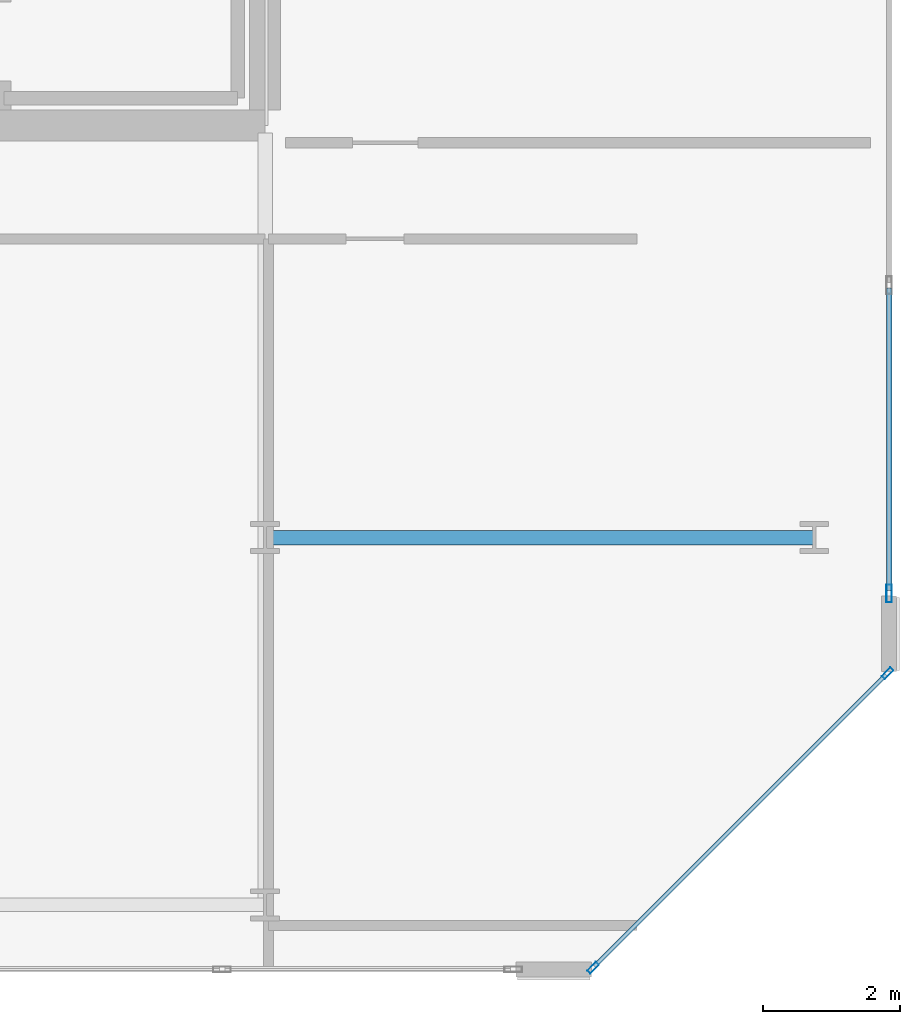
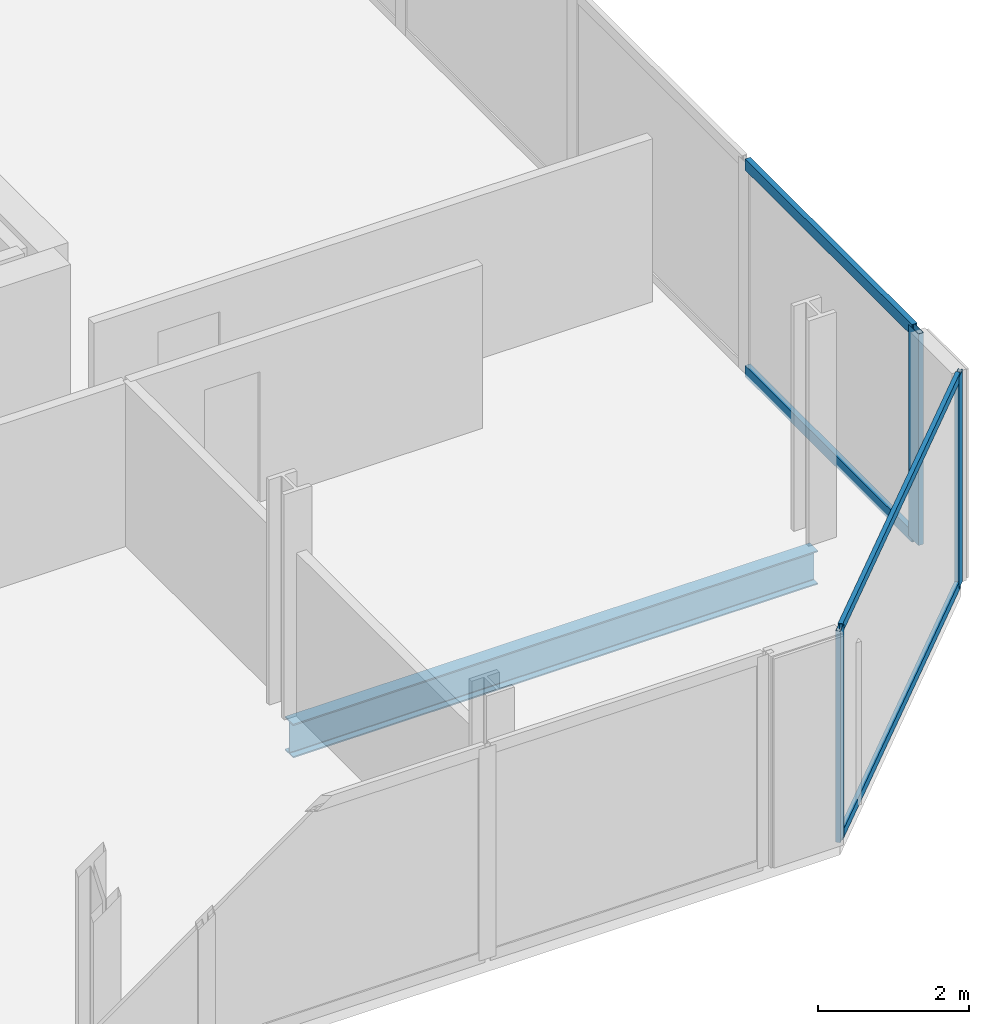
# One storey, part 7 of 17: 7 members, 1 beam, 2 elements without a shape of their own.
"""IFC4 building model written with IfcOpenShell, lengths in metres."""

from ifc_helpers import new_model, si_unit, direction, frame, origin, origin_2d, place, context, subcontext, project, spatial, hollow_rectangle, i_section, extrude, material, layer, layer_set, material_profile, profile_set, type_object, element, aggregate, save


model = new_model("IFC4")

# Units and contexts
model_context = context("Model", 3, precision=1e-05, world=origin(), true_north=direction((0.0, 1.0)))
body_context = subcontext(model_context, "Body", "Model", "MODEL_VIEW")
ifc_project = project(units=[si_unit("LENGTHUNIT", "METRE"), si_unit("AREAUNIT", "SQUARE_METRE"), si_unit("VOLUMEUNIT", "CUBIC_METRE"), si_unit("PLANEANGLEUNIT", "RADIAN"), si_unit("MASSUNIT", "GRAM", prefix="KILO")], contexts=[model_context])

# Site, building, storey
site_placement = place(None, origin())
site = spatial("IfcSite", under=ifc_project, at=site_placement, CompositionType="ELEMENT")
building_placement = place(site_placement, origin())
building = spatial("IfcBuilding", under=site, at=building_placement, Name="Tanjung Sevakor Pilgrim Tower", CompositionType="ELEMENT")
storey_placement = place(building_placement, frame((0.0, 0.0, 264.330078125)))
storey = spatial("IfcBuildingStorey", under=building, at=storey_placement, Name="L74", CompositionType="ELEMENT", Elevation=264.330078125)

# Beam
ifc_material_1 = material(Name="Steel S355J2", Category="steel")
ifc_material_profile_1 = material_profile(ifc_material_1, i_section(OverallWidth=0.2119140625, OverallDepth=0.54443359375, WebThickness=0.0126953125, FlangeThickness=0.021240234375, FilletRadius=0.0126953125, at=origin_2d()))
ifc_profile_set_1 = profile_set([ifc_material_profile_1], Name="Steel S355J2")
beam_type = type_object("IfcBeamType", Name="BM-B-G5-UB_533x210x122", PredefinedType="BEAM", material=ifc_profile_set_1)
beam_placement = place(storey_placement, frame((90.0, 18.60009765625, -0.4921875), z_axis=(1.0, 0.0, 0.0), x_axis=(0.0, 1.0, 0.0)))
element("IfcBeam", 1, at=beam_placement, inside=storey, type_object=beam_type, Name="L74 East Peak Wing Girder Y18.6", PredefinedType="BEAM", context=body_context, shape_type="SweptSolid", body=[
    extrude(i_section(OverallWidth=0.2119140625, OverallDepth=0.54443359375, WebThickness=0.0126953125, FlangeThickness=0.021240234375, FilletRadius=0.0126953125, at=origin_2d()), origin(), (0.0, 0.0, 1.0), 8.0),
])

# Curtain wall, members
ifc_material_2 = material(Name="Aluminium 6063-T6 and Low-E Glass", Category="aluminium")
ifc_layer_1 = layer(ifc_material_2, 0.179931640625)
ifc_layer_set_1 = layer_set([ifc_layer_1], Name="CW-SYS-CHAM")
curtain_wall_type_1 = type_object("IfcCurtainWallType", Name="CW-SYS-CHAM", PredefinedType="NOTDEFINED", material=ifc_layer_set_1)
curtain_wall_1_placement = place(storey_placement, origin())
curtain_wall_1 = element("IfcCurtainWall", 2, at=curtain_wall_1_placement, inside=storey, type_object=curtain_wall_type_1, Name="L74 Curtain Wall CW-CHM-L74-EAST-1", PredefinedType="NOTDEFINED")
ifc_material_3 = material(Name="Aluminium 6063-T6", Category="aluminium")
ifc_material_profile_2 = material_profile(ifc_material_3, hollow_rectangle(XDim=0.06494140625, YDim=0.179931640625, WallThickness=0.00390625, at=origin_2d()))
ifc_profile_set_2 = profile_set([ifc_material_profile_2], Name="Aluminium 6063-T6")
member_type_1 = type_object("IfcMemberType", Name="TYPE-CWM-1", PredefinedType="MULLION", material=ifc_profile_set_2)
member_1_placement = place(storey_placement, frame((94.77734375, 12.3330078125, 0.0), z_axis=(0.0, 0.0, 1.0), x_axis=(-0.707106781187, 0.707106781187, 0.0)))
member_1 = element("IfcMember", 3, at=member_1_placement, type_object=member_type_1, Name="CW-CHM mullion 1", PredefinedType="MULLION", context=body_context, shape_type="SweptSolid", body=[
    extrude(hollow_rectangle(XDim=0.06494140625, YDim=0.179931640625, WallThickness=0.00390625, at=origin_2d()), origin(), (0.0, 0.0, 1.0), 3.409912109375),
])
member_2_placement = place(storey_placement, frame((99.067138671875, 16.62255859375, 0.0), z_axis=(0.0, 0.0, 1.0), x_axis=(-0.707106781187, 0.707106781187, 0.0)))
member_2 = element("IfcMember", 4, at=member_2_placement, type_object=member_type_1, Name="CW-CHM mullion 2", PredefinedType="MULLION", context=body_context, shape_type="SweptSolid", body=[
    extrude(hollow_rectangle(XDim=0.06494140625, YDim=0.179931640625, WallThickness=0.00390625, at=origin_2d()), origin(), (0.0, 0.0, 1.0), 3.409912109375),
])

# Curtain wall, member
ifc_material_4 = material(Name="Aluminium 6063-T6 and Low-E Glass", Category="aluminium")
ifc_layer_2 = layer(ifc_material_4, 0.219970703125)
ifc_layer_set_2 = layer_set([ifc_layer_2], Name="CW-SYS-CRNE")
curtain_wall_type_2 = type_object("IfcCurtainWallType", Name="CW-SYS-CRNE", PredefinedType="NOTDEFINED", material=ifc_layer_set_2)
curtain_wall_2_placement = place(storey_placement, origin())
curtain_wall_2 = element("IfcCurtainWall", 5, at=curtain_wall_2_placement, inside=storey, type_object=curtain_wall_type_2, Name="L74 Curtain Wall CW-CRN-L74-EAST-2-1", PredefinedType="NOTDEFINED")
ifc_material_5 = material(Name="Aluminium 6063-T6", Category="aluminium")
ifc_material_profile_3 = material_profile(ifc_material_5, hollow_rectangle(XDim=0.080078125, YDim=0.260009765625, WallThickness=0.0048828125, at=origin_2d()))
ifc_profile_set_3 = profile_set([ifc_material_profile_3], Name="Aluminium 6063-T6")
member_type_2 = type_object("IfcMemberType", Name="TYPE-CWM-3", PredefinedType="MULLION", material=ifc_profile_set_3)
member_3_placement = place(storey_placement, frame((99.090087890625, 17.78564453125, 0.0), z_axis=(0.0, 0.0, 1.0), x_axis=(-1.0, 0.0, 0.0)))
member_3 = element("IfcMember", 6, at=member_3_placement, type_object=member_type_2, Name="CW-CRE mullion 1", PredefinedType="MULLION", context=body_context, shape_type="SweptSolid", body=[
    extrude(hollow_rectangle(XDim=0.080078125, YDim=0.260009765625, WallThickness=0.0048828125, at=origin_2d()), origin(), (0.0, 0.0, 1.0), 3.409912109375),
])

# Member
ifc_material_6 = material(Name="Aluminium 6063-T6", Category="aluminium")
ifc_material_profile_4 = material_profile(ifc_material_6, hollow_rectangle(XDim=0.06494140625, YDim=0.139892578125, WallThickness=0.00390625, at=origin_2d()))
ifc_profile_set_4 = profile_set([ifc_material_profile_4], Name="Aluminium 6063-T6")
member_type_3 = type_object("IfcMemberType", Name="TYPE-CWT-1", PredefinedType="USERDEFINED", material=ifc_profile_set_4)
member_4_placement = place(storey_placement, frame((94.80029296875, 12.35595703125, 0.032470703125), z_axis=(0.707106781187, 0.707106781187, 0.0), x_axis=(-0.707106781187, 0.707106781187, 0.0)))
member_4 = element("IfcMember", 7, at=member_4_placement, type_object=member_type_3, Name="CW-CHM transom 1.1", ObjectType="TRANSOM", PredefinedType="USERDEFINED", context=body_context, shape_type="SweptSolid", body=[
    extrude(hollow_rectangle(XDim=0.06494140625, YDim=0.139892578125, WallThickness=0.00390625, at=origin_2d()), origin(), (0.0, 0.0, 1.0), 6.00146484375),
])

member_5_placement = place(storey_placement, frame((94.80029296875, 12.35595703125, 3.37744140625), z_axis=(0.707106781187, 0.707106781187, 0.0), x_axis=(-0.707106781187, 0.707106781187, 0.0)))
member_5 = element("IfcMember", 8, at=member_5_placement, type_object=member_type_3, Name="CW-CHM transom 1.2", ObjectType="TRANSOM", PredefinedType="USERDEFINED", context=body_context, shape_type="SweptSolid", body=[
    extrude(hollow_rectangle(XDim=0.06494140625, YDim=0.139892578125, WallThickness=0.00390625, at=origin_2d()), origin(), (0.0, 0.0, 1.0), 6.00146484375),
])

aggregate(curtain_wall_1, [member_1, member_2, member_4, member_5])

ifc_material_7 = material(Name="Aluminium 6063-T6", Category="aluminium")
ifc_material_profile_5 = material_profile(ifc_material_7, hollow_rectangle(XDim=0.080078125, YDim=0.179931640625, WallThickness=0.0048828125, at=origin_2d()))
ifc_profile_set_5 = profile_set([ifc_material_profile_5], Name="Aluminium 6063-T6")
member_type_4 = type_object("IfcMemberType", Name="TYPE-CWT-3", PredefinedType="USERDEFINED", material=ifc_profile_set_5)
member_6_placement = place(storey_placement, frame((99.090087890625, 17.82568359375, 0.0400390625), z_axis=(0.0, 1.0, 0.0), x_axis=(-1.0, 0.0, 0.0)))
member_6 = element("IfcMember", 9, at=member_6_placement, type_object=member_type_4, Name="CW-CRE transom 1.1", ObjectType="TRANSOM", PredefinedType="USERDEFINED", context=body_context, shape_type="SweptSolid", body=[
    extrude(hollow_rectangle(XDim=0.080078125, YDim=0.179931640625, WallThickness=0.0048828125, at=origin_2d()), origin(), (0.0, 0.0, 1.0), 4.40966796875),
])

member_7_placement = place(storey_placement, frame((99.090087890625, 17.82568359375, 3.369873046875), z_axis=(0.0, 1.0, 0.0), x_axis=(-1.0, 0.0, 0.0)))
member_7 = element("IfcMember", 10, at=member_7_placement, type_object=member_type_4, Name="CW-CRE transom 1.2", ObjectType="TRANSOM", PredefinedType="USERDEFINED", context=body_context, shape_type="SweptSolid", body=[
    extrude(hollow_rectangle(XDim=0.080078125, YDim=0.179931640625, WallThickness=0.0048828125, at=origin_2d()), origin(), (0.0, 0.0, 1.0), 4.40966796875),
])

aggregate(curtain_wall_2, [member_3, member_6, member_7])

save(model, "model.ifc")
